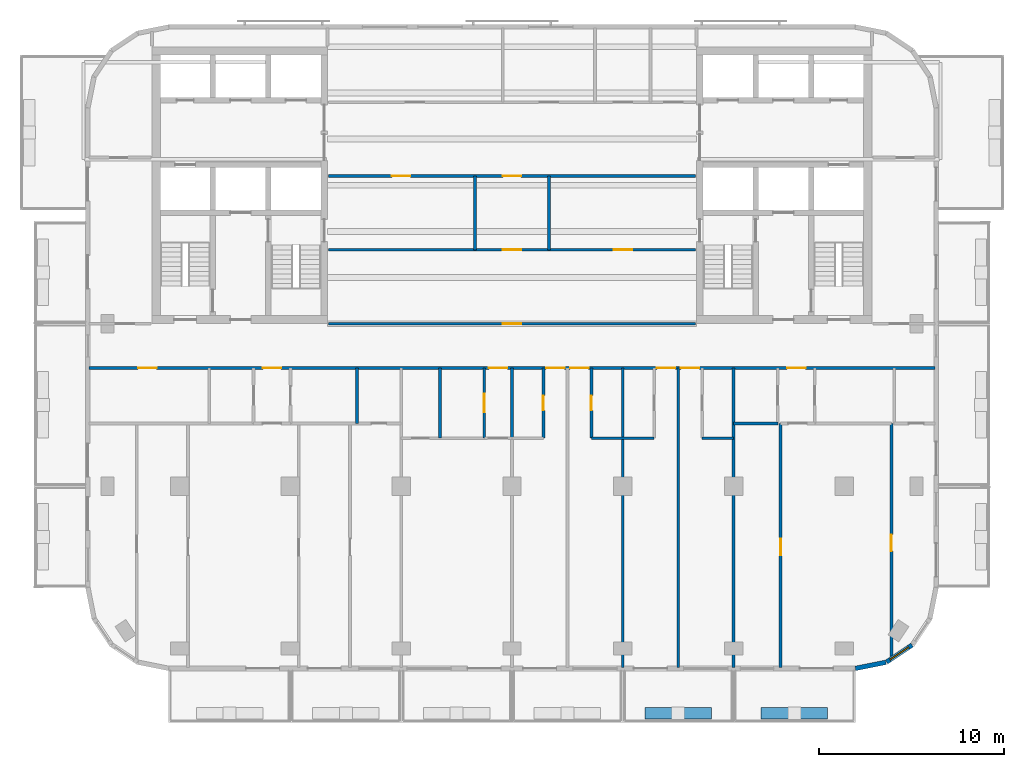
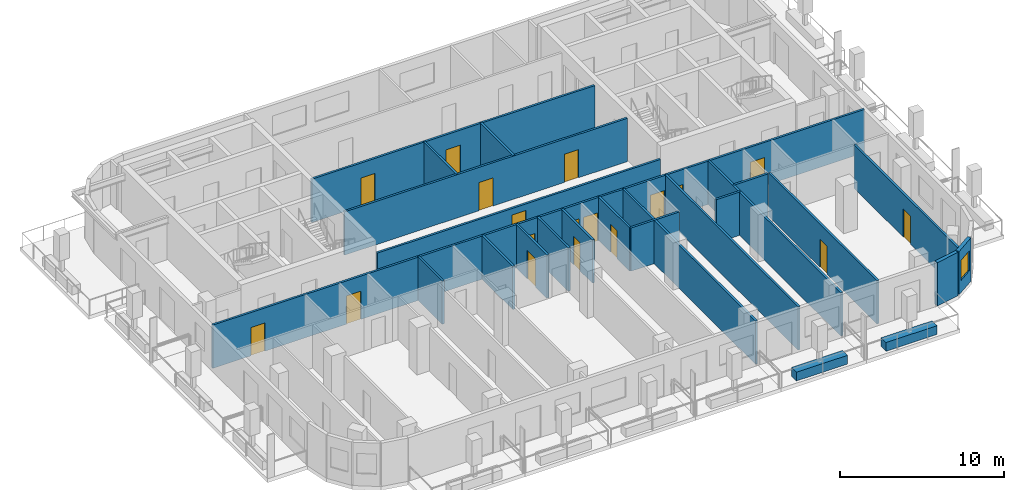
# One storey, part 4 of 11: 24 walls, 18 doors, 1 window, 19 openings.
"""IFC4 building model written with IfcOpenShell, lengths in metres."""

from ifc_helpers import new_model, si_unit, direction, frame, frame_2d, origin, place, context, subcontext, project, spatial, rectangle, extrude, material, layer, layer_set, type_object, element, fill, save


model = new_model("IFC4")

# Units and contexts
model_context = context("Model", 3, precision=1e-05, world=origin(), true_north=direction((0.0, 1.0)))
body_context = subcontext(model_context, "Body", "Model", "MODEL_VIEW")
ifc_project = project(units=[si_unit("LENGTHUNIT", "METRE"), si_unit("AREAUNIT", "SQUARE_METRE"), si_unit("VOLUMEUNIT", "CUBIC_METRE"), si_unit("PLANEANGLEUNIT", "RADIAN"), si_unit("MASSUNIT", "GRAM", prefix="KILO")], contexts=[model_context])

# Site, building, storey
site_placement = place(None, origin())
site = spatial("IfcSite", under=ifc_project, at=site_placement, CompositionType="ELEMENT")
building_placement = place(site_placement, origin())
building = spatial("IfcBuilding", under=site, at=building_placement, Name="Torana Hotel and Residences", CompositionType="ELEMENT")
storey_placement = place(building_placement, frame((0.0, 0.0, 277.10009765625)))
storey = spatial("IfcBuildingStorey", under=building, at=storey_placement, Name="L73", CompositionType="ELEMENT", Elevation=277.10009765625)

# Wall
ifc_material_1 = material(Name="Black aluminium composite panel", Category="aluminium")
ifc_layer_1 = layer(ifc_material_1, 0.00390625, Name="Cladding", Category="cladding")
ifc_material_2 = material(Name="Ventilated air cavity")
ifc_layer_2 = layer(ifc_material_2, 0.0400390625, Name="Ventilated cavity", Category="cavity")
ifc_material_3 = material(Name="Mineral wool insulation")
ifc_layer_3 = layer(ifc_material_3, 0.090087890625, Name="Insulation", Category="insulation")
ifc_material_4 = material(Name="Steel S280GD", Category="steel")
ifc_layer_4 = layer(ifc_material_4, 0.092041015625, Name="Steel stud frame", Category="structure")
ifc_material_5 = material(Name="Fire rated plasterboard")
ifc_layer_5 = layer(ifc_material_5, 0.011962890625, Name="Inner board", Category="finish")
ifc_layer_6 = layer(ifc_material_5, 0.011962890625, Name="Second board", Category="finish")
ifc_layer_set_1 = layer_set([ifc_layer_1, ifc_layer_2, ifc_layer_3, ifc_layer_4, ifc_layer_5, ifc_layer_6], Name="EW1 EXTERNAL WALL BLACK METAL CLAD 250")
wall_type_1 = type_object("IfcWallType", Name="EW1 EXTERNAL WALL BLACK METAL CLAD 250", PredefinedType="SOLIDWALL", material=ifc_layer_set_1)
wall_1_placement = place(storey_placement, frame((18.599853515625, -33.672607421875, 0.0), z_axis=(0.0, 0.0, 1.0), x_axis=(0.980770110232, 0.195166572128, 0.0)))
element("IfcWall", 1, at=wall_1_placement, inside=storey, type_object=wall_type_1, Name="External wall L73 e0.15", PredefinedType="SOLIDWALL", context=body_context, shape_type="SweptSolid", body=[
    extrude(rectangle(XDim=1.68115234375, YDim=0.25, at=frame_2d((0.840576171875, 0.0))), origin(), (0.0, 0.0, 1.0), 3.219970703125),
])

# Wall, opening, window
wall_2_placement = place(storey_placement, frame((20.2939453125, -33.325927734375, 0.0), z_axis=(0.0, 0.0, 1.0), x_axis=(0.831482937015, 0.55555029066, 0.0)))
wall_2 = element("IfcWall", 2, at=wall_2_placement, inside=storey, type_object=wall_type_1, Name="External wall L73 e0.16", PredefinedType="SOLIDWALL", context=body_context, shape_type="SweptSolid", body=[
    extrude(rectangle(XDim=1.65625, YDim=0.25, at=frame_2d((0.828125, 0.0))), origin(), (0.0, 0.0, 1.0), 3.219970703125),
])
opening_1_placement = place(wall_2_placement, frame((0.228271484375, 0.0, 0.89990234375)))
opening_1 = element("IfcOpeningElement", 3, at=opening_1_placement, cuts=wall_2, Name="Opening W5", PredefinedType="OPENING", context=body_context, shape_type="SweptSolid", body=[
    extrude(rectangle(XDim=1.199951171875, YDim=1.5, at=frame_2d((0.60009765625, 0.75))), frame((0.0, 0.135009765625, 0.0), z_axis=(0.0, -1.0, 0.0), x_axis=(1.0, 0.0, 0.0)), (0.0, 0.0, 1.0), 0.27001953125),
])
ifc_material_6 = material(Name="Dark glass in black aluminium frame", Category="aluminium")
window_type = type_object("IfcWindowType", Name="W5 CORNER FACET WINDOW 1200x1500", PartitioningType="SINGLE_PANEL", PredefinedType="WINDOW", material=ifc_material_6)
window_placement = place(opening_1_placement, origin())
window = element("IfcWindow", 4, at=window_placement, inside=storey, type_object=window_type, Name="Window L73 e0.16", OverallHeight=1.5, OverallWidth=1.199951171875, PartitioningType="SINGLE_PANEL", PredefinedType="WINDOW", context=body_context, shape_type="SweptSolid", body=[
    extrude(rectangle(XDim=1.199951171875, YDim=1.5, at=frame_2d((0.60009765625, 0.75))), frame((0.0, 0.030029296875, 0.0), z_axis=(0.0, -1.0, 0.0), x_axis=(1.0, 0.0, 0.0)), (0.0, 0.0, 1.0), 0.06005859375),
])
fill(opening_1, window)

# Walls
ifc_material_7 = material(Name="Gypsum plaster")
ifc_layer_7 = layer(ifc_material_7, 0.014892578125, Name="Plaster", Category="finish")
ifc_material_8 = material(Name="Concrete blockwork", Category="masonry")
ifc_layer_8 = layer(ifc_material_8, 0.1201171875, Name="Blockwork", Category="structure")
ifc_layer_9 = layer(ifc_material_7, 0.014892578125, Name="Plaster", Category="finish")
ifc_layer_set_2 = layer_set([ifc_layer_7, ifc_layer_8, ifc_layer_9], Name="FIRE PARTITION 150 BLOCKWORK")
wall_type_2 = type_object("IfcWallType", Name="FIRE PARTITION 150 BLOCKWORK", PredefinedType="PARTITIONING", material=ifc_layer_set_2)
wall_3_placement = place(storey_placement, frame((2.0, -11.0, 0.0), z_axis=(0.0, 0.0, 1.0), x_axis=(0.0, 1.0, 0.0)))
element("IfcWall", 5, at=wall_3_placement, inside=storey, type_object=wall_type_2, Name="Partition L73", PredefinedType="PARTITIONING", context=body_context, shape_type="SweptSolid", body=[
    extrude(rectangle(XDim=4.0, YDim=0.14990234375, at=frame_2d((2.0, 0.0))), origin(), (0.0, 0.0, 1.0), 3.219970703125),
])
wall_4_placement = place(storey_placement, frame((0.0, -21.199951171875, 0.0), z_axis=(0.0, 0.0, 1.0), x_axis=(0.0, 1.0, 0.0)))
element("IfcWall", 6, at=wall_4_placement, inside=storey, type_object=wall_type_2, Name="Partition L73", PredefinedType="PARTITIONING", context=body_context, shape_type="SweptSolid", body=[
    extrude(rectangle(XDim=3.800048828125, YDim=0.14990234375, at=frame_2d((1.89990234375, 0.0))), origin(), (0.0, 0.0, 1.0), 3.219970703125),
])

# Wall, opening, door
wall_5_placement = place(storey_placement, frame((-1.5, -21.199951171875, 0.0), z_axis=(0.0, 0.0, 1.0), x_axis=(0.0, 1.0, 0.0)))
wall_5 = element("IfcWall", 7, at=wall_5_placement, inside=storey, type_object=wall_type_2, Name="Partition L73", PredefinedType="PARTITIONING", context=body_context, shape_type="SweptSolid", body=[
    extrude(rectangle(XDim=3.800048828125, YDim=0.14990234375, at=frame_2d((1.89990234375, 0.0))), origin(), (0.0, 0.0, 1.0), 3.219970703125),
])
opening_2_placement = place(wall_5_placement, frame((1.39990234375, 0.0, 0.0)))
opening_2 = element("IfcOpeningElement", 8, at=opening_2_placement, cuts=wall_5, Name="Opening L73-37", PredefinedType="OPENING", context=body_context, shape_type="SweptSolid", body=[
    extrude(rectangle(XDim=1.0, YDim=2.10009765625, at=frame_2d((0.5, 1.050048828125))), frame((0.0, 0.0849609375, 0.0), z_axis=(0.0, -1.0, 0.0), x_axis=(1.0, 0.0, 0.0)), (0.0, 0.0, 1.0), 0.169921875),
])
ifc_material_9 = material(Name="Steel S235", Category="steel")
door_type_1 = type_object("IfcDoorType", Name="ENTRY FIRE DOOR D6 1000x2100", OperationType="SINGLE_SWING_LEFT", PredefinedType="DOOR", material=ifc_material_9)
door_1_placement = place(opening_2_placement, origin())
door_1 = element("IfcDoor", 9, at=door_1_placement, inside=storey, type_object=door_type_1, Name="Door L73", OperationType="SINGLE_SWING_RIGHT", OverallHeight=2.10009765625, OverallWidth=1.0, PredefinedType="DOOR", context=body_context, shape_type="SweptSolid", body=[
    extrude(rectangle(XDim=1.0, YDim=2.10009765625, at=frame_2d((0.5, 1.050048828125))), frame((0.0, 0.02490234375, 0.0), z_axis=(0.0, -1.0, 0.0), x_axis=(1.0, 0.0, 0.0)), (0.0, 0.0, 1.0), 0.050048828125),
])
fill(opening_2, door_1)

# Wall
wall_6_placement = place(storey_placement, frame((-2.0, -11.0, 0.0), z_axis=(0.0, 0.0, 1.0), x_axis=(0.0, 1.0, 0.0)))
element("IfcWall", 10, at=wall_6_placement, inside=storey, type_object=wall_type_2, Name="Partition L73", PredefinedType="PARTITIONING", context=body_context, shape_type="SweptSolid", body=[
    extrude(rectangle(XDim=4.0, YDim=0.14990234375, at=frame_2d((2.0, 0.0))), origin(), (0.0, 0.0, 1.0), 3.219970703125),
])

# Wall, openings, doors
wall_7_placement = place(storey_placement, frame((-22.919921875, -17.39990234375, 0.0), z_axis=(0.0, 0.0, 1.0), x_axis=(1.0, 0.0, 0.0)))
wall_7 = element("IfcWall", 11, at=wall_7_placement, inside=storey, type_object=wall_type_2, Name="Partition L73", PredefinedType="PARTITIONING", context=body_context, shape_type="SweptSolid", body=[
    extrude(rectangle(XDim=45.83984375, YDim=0.14990234375, at=frame_2d((22.919921875, 0.0))), origin(), (0.0, 0.0, 1.0), 3.219970703125),
])
opening_3_placement = place(wall_7_placement, frame((21.669921875, 0.0, 0.0)))
opening_3 = element("IfcOpeningElement", 12, at=opening_3_placement, cuts=wall_7, Name="Opening L73-18", PredefinedType="OPENING", context=body_context, shape_type="SweptSolid", body=[
    extrude(rectangle(XDim=1.0, YDim=2.10009765625, at=frame_2d((0.5, 1.050048828125))), frame((0.0, 0.0849609375, 0.0), z_axis=(0.0, -1.0, 0.0), x_axis=(1.0, 0.0, 0.0)), (0.0, 0.0, 1.0), 0.169921875),
])
opening_4_placement = place(wall_7_placement, frame((24.77001953125, 0.0, 0.0)))
opening_4 = element("IfcOpeningElement", 13, at=opening_4_placement, cuts=wall_7, Name="Opening L73-19", PredefinedType="OPENING", context=body_context, shape_type="SweptSolid", body=[
    extrude(rectangle(XDim=1.0, YDim=2.10009765625, at=frame_2d((0.5, 1.050048828125))), frame((0.0, 0.0849609375, 0.0), z_axis=(0.0, -1.0, 0.0), x_axis=(1.0, 0.0, 0.0)), (0.0, 0.0, 1.0), 0.169921875),
])
opening_5_placement = place(wall_7_placement, frame((26.070068359375, 0.0, 0.0)))
opening_5 = element("IfcOpeningElement", 14, at=opening_5_placement, cuts=wall_7, Name="Opening L73-20", PredefinedType="OPENING", context=body_context, shape_type="SweptSolid", body=[
    extrude(rectangle(XDim=1.0, YDim=2.10009765625, at=frame_2d((0.5, 1.050048828125))), frame((0.0, 0.0849609375, 0.0), z_axis=(0.0, -1.0, 0.0), x_axis=(1.0, 0.0, 0.0)), (0.0, 0.0, 1.0), 0.169921875),
])
opening_6_placement = place(wall_7_placement, frame((30.77001953125, 0.0, 0.0)))
opening_6 = element("IfcOpeningElement", 15, at=opening_6_placement, cuts=wall_7, Name="Opening L73-21", PredefinedType="OPENING", context=body_context, shape_type="SweptSolid", body=[
    extrude(rectangle(XDim=1.0, YDim=2.10009765625, at=frame_2d((0.5, 1.050048828125))), frame((0.0, 0.0849609375, 0.0), z_axis=(0.0, -1.0, 0.0), x_axis=(1.0, 0.0, 0.0)), (0.0, 0.0, 1.0), 0.169921875),
])
opening_7_placement = place(wall_7_placement, frame((32.070068359375, 0.0, 0.0)))
opening_7 = element("IfcOpeningElement", 16, at=opening_7_placement, cuts=wall_7, Name="Opening L73-22", PredefinedType="OPENING", context=body_context, shape_type="SweptSolid", body=[
    extrude(rectangle(XDim=1.0, YDim=2.10009765625, at=frame_2d((0.5, 1.050048828125))), frame((0.0, 0.0849609375, 0.0), z_axis=(0.0, -1.0, 0.0), x_axis=(1.0, 0.0, 0.0)), (0.0, 0.0, 1.0), 0.169921875),
])
opening_8_placement = place(wall_7_placement, frame((9.419921875, 0.0, 0.0)))
opening_8 = element("IfcOpeningElement", 17, at=opening_8_placement, cuts=wall_7, Name="Opening L73-23", PredefinedType="OPENING", context=body_context, shape_type="SweptSolid", body=[
    extrude(rectangle(XDim=1.0, YDim=2.10009765625, at=frame_2d((0.5, 1.050048828125))), frame((0.0, 0.0849609375, 0.0), z_axis=(0.0, -1.0, 0.0), x_axis=(1.0, 0.0, 0.0)), (0.0, 0.0, 1.0), 0.169921875),
])
opening_9_placement = place(wall_7_placement, frame((2.669921875, 0.0, 0.0)))
opening_9 = element("IfcOpeningElement", 18, at=opening_9_placement, cuts=wall_7, Name="Opening L73-24", PredefinedType="OPENING", context=body_context, shape_type="SweptSolid", body=[
    extrude(rectangle(XDim=1.0, YDim=2.10009765625, at=frame_2d((0.5, 1.050048828125))), frame((0.0, 0.0849609375, 0.0), z_axis=(0.0, -1.0, 0.0), x_axis=(1.0, 0.0, 0.0)), (0.0, 0.0, 1.0), 0.169921875),
])
opening_10_placement = place(wall_7_placement, frame((37.820068359375, 0.0, 0.0)))
opening_10 = element("IfcOpeningElement", 19, at=opening_10_placement, cuts=wall_7, Name="Opening L73-25", PredefinedType="OPENING", context=body_context, shape_type="SweptSolid", body=[
    extrude(rectangle(XDim=1.0, YDim=2.10009765625, at=frame_2d((0.5, 1.050048828125))), frame((0.0, 0.0849609375, 0.0), z_axis=(0.0, -1.0, 0.0), x_axis=(1.0, 0.0, 0.0)), (0.0, 0.0, 1.0), 0.169921875),
])
door_2_placement = place(opening_3_placement, origin())
door_2 = element("IfcDoor", 20, at=door_2_placement, inside=storey, type_object=door_type_1, Name="Door L73", OperationType="SINGLE_SWING_RIGHT", OverallHeight=2.10009765625, OverallWidth=1.0, PredefinedType="DOOR", context=body_context, shape_type="SweptSolid", body=[
    extrude(rectangle(XDim=1.0, YDim=2.10009765625, at=frame_2d((0.5, 1.050048828125))), frame((0.0, 0.02490234375, 0.0), z_axis=(0.0, -1.0, 0.0), x_axis=(1.0, 0.0, 0.0)), (0.0, 0.0, 1.0), 0.050048828125),
])
fill(opening_3, door_2)
door_3_placement = place(opening_4_placement, frame((0.5, 0.0, 0.0), z_axis=(0.0, 0.0, 1.0), x_axis=(-1.0, 0.0, 0.0)))
door_3 = element("IfcDoor", 21, at=door_3_placement, inside=storey, type_object=door_type_1, Name="Door L73", OperationType="SINGLE_SWING_LEFT", OverallHeight=2.10009765625, OverallWidth=1.0, PredefinedType="DOOR", context=body_context, shape_type="SweptSolid", body=[
    extrude(rectangle(XDim=1.0, YDim=2.10009765625, at=frame_2d((0.0, 1.050048828125))), frame((0.0, -0.02490234375, 0.0), z_axis=(0.0, 1.0, 0.0), x_axis=(-1.0, 0.0, 0.0)), (0.0, 0.0, 1.0), 0.050048828125),
])
fill(opening_4, door_3)
door_4_placement = place(opening_5_placement, frame((0.5, 0.0, 0.0), z_axis=(0.0, 0.0, 1.0), x_axis=(-1.0, 0.0, 0.0)))
door_4 = element("IfcDoor", 22, at=door_4_placement, inside=storey, type_object=door_type_1, Name="Door L73", OperationType="SINGLE_SWING_LEFT", OverallHeight=2.10009765625, OverallWidth=1.0, PredefinedType="DOOR", context=body_context, shape_type="SweptSolid", body=[
    extrude(rectangle(XDim=1.0, YDim=2.10009765625, at=frame_2d((0.0, 1.050048828125))), frame((0.0, -0.02490234375, 0.0), z_axis=(0.0, 1.0, 0.0), x_axis=(-1.0, 0.0, 0.0)), (0.0, 0.0, 1.0), 0.050048828125),
])
fill(opening_5, door_4)
door_5_placement = place(opening_6_placement, frame((0.5, 0.0, 0.0), z_axis=(0.0, 0.0, 1.0), x_axis=(-1.0, 0.0, 0.0)))
door_5 = element("IfcDoor", 23, at=door_5_placement, inside=storey, type_object=door_type_1, Name="Door L73", OperationType="SINGLE_SWING_LEFT", OverallHeight=2.10009765625, OverallWidth=1.0, PredefinedType="DOOR", context=body_context, shape_type="SweptSolid", body=[
    extrude(rectangle(XDim=1.0, YDim=2.10009765625, at=frame_2d((0.0, 1.050048828125))), frame((0.0, -0.02490234375, 0.0), z_axis=(0.0, 1.0, 0.0), x_axis=(-1.0, 0.0, 0.0)), (0.0, 0.0, 1.0), 0.050048828125),
])
fill(opening_6, door_5)
door_6_placement = place(opening_7_placement, frame((0.5, 0.0, 0.0), z_axis=(0.0, 0.0, 1.0), x_axis=(-1.0, 0.0, 0.0)))
door_6 = element("IfcDoor", 24, at=door_6_placement, inside=storey, type_object=door_type_1, Name="Door L73", OperationType="SINGLE_SWING_LEFT", OverallHeight=2.10009765625, OverallWidth=1.0, PredefinedType="DOOR", context=body_context, shape_type="SweptSolid", body=[
    extrude(rectangle(XDim=1.0, YDim=2.10009765625, at=frame_2d((0.0, 1.050048828125))), frame((0.0, -0.02490234375, 0.0), z_axis=(0.0, 1.0, 0.0), x_axis=(-1.0, 0.0, 0.0)), (0.0, 0.0, 1.0), 0.050048828125),
])
fill(opening_7, door_6)
door_7_placement = place(opening_8_placement, origin())
door_7 = element("IfcDoor", 25, at=door_7_placement, inside=storey, type_object=door_type_1, Name="Door L73", OperationType="SINGLE_SWING_RIGHT", OverallHeight=2.10009765625, OverallWidth=1.0, PredefinedType="DOOR", context=body_context, shape_type="SweptSolid", body=[
    extrude(rectangle(XDim=1.0, YDim=2.10009765625, at=frame_2d((0.5, 1.050048828125))), frame((0.0, 0.02490234375, 0.0), z_axis=(0.0, -1.0, 0.0), x_axis=(1.0, 0.0, 0.0)), (0.0, 0.0, 1.0), 0.050048828125),
])
fill(opening_8, door_7)
door_8_placement = place(opening_9_placement, frame((0.5, 0.0, 0.0), z_axis=(0.0, 0.0, 1.0), x_axis=(-1.0, 0.0, 0.0)))
door_8 = element("IfcDoor", 26, at=door_8_placement, inside=storey, type_object=door_type_1, Name="Door L73", OperationType="SINGLE_SWING_LEFT", OverallHeight=2.10009765625, OverallWidth=1.0, PredefinedType="DOOR", context=body_context, shape_type="SweptSolid", body=[
    extrude(rectangle(XDim=1.0, YDim=2.10009765625, at=frame_2d((0.0, 1.050048828125))), frame((0.0, -0.02490234375, 0.0), z_axis=(0.0, 1.0, 0.0), x_axis=(-1.0, 0.0, 0.0)), (0.0, 0.0, 1.0), 0.050048828125),
])
fill(opening_9, door_8)
door_9_placement = place(opening_10_placement, origin())
door_9 = element("IfcDoor", 27, at=door_9_placement, inside=storey, type_object=door_type_1, Name="Door L73", OperationType="SINGLE_SWING_RIGHT", OverallHeight=2.10009765625, OverallWidth=1.0, PredefinedType="DOOR", context=body_context, shape_type="SweptSolid", body=[
    extrude(rectangle(XDim=1.0, YDim=2.10009765625, at=frame_2d((0.5, 1.050048828125))), frame((0.0, 0.02490234375, 0.0), z_axis=(0.0, -1.0, 0.0), x_axis=(1.0, 0.0, 0.0)), (0.0, 0.0, 1.0), 0.050048828125),
])
fill(opening_10, door_9)

# Wall, opening, door
wall_8_placement = place(storey_placement, frame((-9.949951171875, -15.0, 0.0), z_axis=(0.0, 0.0, 1.0), x_axis=(1.0, 0.0, 0.0)))
wall_8 = element("IfcWall", 28, at=wall_8_placement, inside=storey, type_object=wall_type_2, Name="Partition L73", PredefinedType="PARTITIONING", context=body_context, shape_type="SweptSolid", body=[
    extrude(rectangle(XDim=19.89990234375, YDim=0.14990234375, at=frame_2d((9.949951171875, 0.0))), origin(), (0.0, 0.0, 1.0), 2.583984375),
])
opening_11_placement = place(wall_8_placement, frame((9.449951171875, 0.0, 0.0)))
opening_11 = element("IfcOpeningElement", 29, at=opening_11_placement, cuts=wall_8, Name="Opening L73-17", PredefinedType="OPENING", context=body_context, shape_type="SweptSolid", body=[
    extrude(rectangle(XDim=1.0, YDim=2.10009765625, at=frame_2d((0.5, 1.050048828125))), frame((0.0, 0.0849609375, 0.0), z_axis=(0.0, -1.0, 0.0), x_axis=(1.0, 0.0, 0.0)), (0.0, 0.0, 1.0), 0.169921875),
])
door_10_placement = place(opening_11_placement, origin())
door_10 = element("IfcDoor", 30, at=door_10_placement, inside=storey, type_object=door_type_1, Name="Door L73", OperationType="SINGLE_SWING_RIGHT", OverallHeight=2.10009765625, OverallWidth=1.0, PredefinedType="DOOR", context=body_context, shape_type="SweptSolid", body=[
    extrude(rectangle(XDim=1.0, YDim=2.10009765625, at=frame_2d((0.5, 1.050048828125))), frame((0.0, 0.02490234375, 0.0), z_axis=(0.0, -1.0, 0.0), x_axis=(1.0, 0.0, 0.0)), (0.0, 0.0, 1.0), 0.050048828125),
])
fill(opening_11, door_10)

# Wall, openings, doors
wall_9_placement = place(storey_placement, frame((-9.949951171875, -11.0, 0.0), z_axis=(0.0, 0.0, 1.0), x_axis=(1.0, 0.0, 0.0)))
wall_9 = element("IfcWall", 31, at=wall_9_placement, inside=storey, type_object=wall_type_2, Name="Partition L73", PredefinedType="PARTITIONING", context=body_context, shape_type="SweptSolid", body=[
    extrude(rectangle(XDim=19.89990234375, YDim=0.14990234375, at=frame_2d((9.949951171875, 0.0))), origin(), (0.0, 0.0, 1.0), 3.219970703125),
])
opening_12_placement = place(wall_9_placement, frame((9.449951171875, 0.0, 0.0)))
opening_12 = element("IfcOpeningElement", 32, at=opening_12_placement, cuts=wall_9, Name="Opening L73-28", PredefinedType="OPENING", context=body_context, shape_type="SweptSolid", body=[
    extrude(rectangle(XDim=1.0, YDim=2.10009765625, at=frame_2d((0.5, 1.050048828125))), frame((0.0, 0.0849609375, 0.0), z_axis=(0.0, -1.0, 0.0), x_axis=(1.0, 0.0, 0.0)), (0.0, 0.0, 1.0), 0.169921875),
])
opening_13_placement = place(wall_9_placement, frame((15.449951171875, 0.0, 0.0)))
opening_13 = element("IfcOpeningElement", 33, at=opening_13_placement, cuts=wall_9, Name="Opening L73-29", PredefinedType="OPENING", context=body_context, shape_type="SweptSolid", body=[
    extrude(rectangle(XDim=1.0, YDim=2.10009765625, at=frame_2d((0.5, 1.050048828125))), frame((0.0, 0.0849609375, 0.0), z_axis=(0.0, -1.0, 0.0), x_axis=(1.0, 0.0, 0.0)), (0.0, 0.0, 1.0), 0.169921875),
])
door_11_placement = place(opening_12_placement, origin())
door_11 = element("IfcDoor", 34, at=door_11_placement, inside=storey, type_object=door_type_1, Name="Door L73", OperationType="SINGLE_SWING_RIGHT", OverallHeight=2.10009765625, OverallWidth=1.0, PredefinedType="DOOR", context=body_context, shape_type="SweptSolid", body=[
    extrude(rectangle(XDim=1.0, YDim=2.10009765625, at=frame_2d((0.5, 1.050048828125))), frame((0.0, 0.02490234375, 0.0), z_axis=(0.0, -1.0, 0.0), x_axis=(1.0, 0.0, 0.0)), (0.0, 0.0, 1.0), 0.050048828125),
])
fill(opening_12, door_11)
door_12_placement = place(opening_13_placement, origin())
door_12 = element("IfcDoor", 35, at=door_12_placement, inside=storey, type_object=door_type_1, Name="Door L73", OperationType="SINGLE_SWING_RIGHT", OverallHeight=2.10009765625, OverallWidth=1.0, PredefinedType="DOOR", context=body_context, shape_type="SweptSolid", body=[
    extrude(rectangle(XDim=1.0, YDim=2.10009765625, at=frame_2d((0.5, 1.050048828125))), frame((0.0, 0.02490234375, 0.0), z_axis=(0.0, -1.0, 0.0), x_axis=(1.0, 0.0, 0.0)), (0.0, 0.0, 1.0), 0.050048828125),
])
fill(opening_13, door_12)

wall_10_placement = place(storey_placement, frame((-9.949951171875, -7.0, 0.0), z_axis=(0.0, 0.0, 1.0), x_axis=(1.0, 0.0, 0.0)))
wall_10 = element("IfcWall", 36, at=wall_10_placement, inside=storey, type_object=wall_type_2, Name="Partition L73", PredefinedType="PARTITIONING", context=body_context, shape_type="SweptSolid", body=[
    extrude(rectangle(XDim=19.89990234375, YDim=0.14990234375, at=frame_2d((9.949951171875, 0.0))), origin(), (0.0, 0.0, 1.0), 3.219970703125),
])
opening_14_placement = place(wall_10_placement, frame((9.449951171875, 0.0, 0.0)))
opening_14 = element("IfcOpeningElement", 37, at=opening_14_placement, cuts=wall_10, Name="Opening L73-30", PredefinedType="OPENING", context=body_context, shape_type="SweptSolid", body=[
    extrude(rectangle(XDim=1.0, YDim=2.10009765625, at=frame_2d((0.5, 1.050048828125))), frame((0.0, 0.0849609375, 0.0), z_axis=(0.0, -1.0, 0.0), x_axis=(1.0, 0.0, 0.0)), (0.0, 0.0, 1.0), 0.169921875),
])
opening_15_placement = place(wall_10_placement, frame((3.449951171875, 0.0, 0.0)))
opening_15 = element("IfcOpeningElement", 38, at=opening_15_placement, cuts=wall_10, Name="Opening L73-31", PredefinedType="OPENING", context=body_context, shape_type="SweptSolid", body=[
    extrude(rectangle(XDim=1.0, YDim=2.10009765625, at=frame_2d((0.5, 1.050048828125))), frame((0.0, 0.0849609375, 0.0), z_axis=(0.0, -1.0, 0.0), x_axis=(1.0, 0.0, 0.0)), (0.0, 0.0, 1.0), 0.169921875),
])
door_13_placement = place(opening_14_placement, origin())
door_13 = element("IfcDoor", 39, at=door_13_placement, inside=storey, type_object=door_type_1, Name="Door L73", OperationType="SINGLE_SWING_RIGHT", OverallHeight=2.10009765625, OverallWidth=1.0, PredefinedType="DOOR", context=body_context, shape_type="SweptSolid", body=[
    extrude(rectangle(XDim=1.0, YDim=2.10009765625, at=frame_2d((0.5, 1.050048828125))), frame((0.0, 0.02490234375, 0.0), z_axis=(0.0, -1.0, 0.0), x_axis=(1.0, 0.0, 0.0)), (0.0, 0.0, 1.0), 0.050048828125),
])
fill(opening_14, door_13)
door_14_placement = place(opening_15_placement, frame((0.5, 0.0, 0.0), z_axis=(0.0, 0.0, 1.0), x_axis=(-1.0, 0.0, 0.0)))
door_14 = element("IfcDoor", 40, at=door_14_placement, inside=storey, type_object=door_type_1, Name="Door L73", OperationType="SINGLE_SWING_LEFT", OverallHeight=2.10009765625, OverallWidth=1.0, PredefinedType="DOOR", context=body_context, shape_type="SweptSolid", body=[
    extrude(rectangle(XDim=1.0, YDim=2.10009765625, at=frame_2d((0.0, 1.050048828125))), frame((0.0, -0.02490234375, 0.0), z_axis=(0.0, 1.0, 0.0), x_axis=(-1.0, 0.0, 0.0)), (0.0, 0.0, 1.0), 0.050048828125),
])
fill(opening_15, door_14)

# Wall, opening, door
ifc_material_10 = material(Name="Gypsum plasterboard")
ifc_layer_10 = layer(ifc_material_10, 0.012451171875, Name="Plasterboard", Category="finish")
ifc_layer_11 = layer(ifc_material_10, 0.012451171875, Name="Plasterboard", Category="finish")
ifc_layer_12 = layer(ifc_material_4, 0.10009765625, Name="Steel studs with mineral wool", Category="insulation")
ifc_layer_13 = layer(ifc_material_10, 0.012451171875, Name="Plasterboard", Category="finish")
ifc_layer_14 = layer(ifc_material_10, 0.012451171875, Name="Plasterboard", Category="finish")
ifc_layer_set_3 = layer_set([ifc_layer_10, ifc_layer_11, ifc_layer_12, ifc_layer_13, ifc_layer_14], Name="PARTITION 150 PLASTERBOARD")
wall_type_3 = type_object("IfcWallType", Name="PARTITION 150 PLASTERBOARD", PredefinedType="PARTITIONING", material=ifc_layer_set_3)
wall_11_placement = place(storey_placement, frame((20.550048828125, -33.0166015625, 0.0), z_axis=(0.0, 0.0, 1.0), x_axis=(0.0, 1.0, 0.0)))
wall_11 = element("IfcWall", 41, at=wall_11_placement, inside=storey, type_object=wall_type_3, Name="Partition L73", PredefinedType="PARTITIONING", context=body_context, shape_type="SweptSolid", body=[
    extrude(rectangle(XDim=12.61669921875, YDim=0.14990234375, at=frame_2d((6.308349609375, 0.0))), origin(), (0.0, 0.0, 1.0), 3.219970703125),
])
opening_16_placement = place(wall_11_placement, frame((5.696533203125, 0.0, 0.0)))
opening_16 = element("IfcOpeningElement", 42, at=opening_16_placement, cuts=wall_11, Name="Opening L73-56", PredefinedType="OPENING", context=body_context, shape_type="SweptSolid", body=[
    extrude(rectangle(XDim=0.89990234375, YDim=2.10009765625, at=frame_2d((0.449951171875, 1.050048828125))), frame((0.0, 0.0849609375, 0.0), z_axis=(0.0, -1.0, 0.0), x_axis=(1.0, 0.0, 0.0)), (0.0, 0.0, 1.0), 0.169921875),
])
ifc_material_11 = material(Name="Timber door, oiled ash", Category="wood")
door_type_2 = type_object("IfcDoorType", Name="ROOM DOOR D7 900x2100", OperationType="SINGLE_SWING_LEFT", PredefinedType="DOOR", material=ifc_material_11)
door_15_placement = place(opening_16_placement, origin())
door_15 = element("IfcDoor", 43, at=door_15_placement, inside=storey, type_object=door_type_2, Name="Door L73", OperationType="SINGLE_SWING_RIGHT", OverallHeight=2.10009765625, OverallWidth=0.89990234375, PredefinedType="DOOR", context=body_context, shape_type="SweptSolid", body=[
    extrude(rectangle(XDim=0.89990234375, YDim=2.10009765625, at=frame_2d((0.449951171875, 1.050048828125))), frame((0.0, 0.02490234375, 0.0), z_axis=(0.0, -1.0, 0.0), x_axis=(1.0, 0.0, 0.0)), (0.0, 0.0, 1.0), 0.050048828125),
])
fill(opening_16, door_15)

wall_12_placement = place(storey_placement, frame((14.550048828125, -33.6201171875, 0.0), z_axis=(0.0, 0.0, 1.0), x_axis=(0.0, 1.0, 0.0)))
wall_12 = element("IfcWall", 44, at=wall_12_placement, inside=storey, type_object=wall_type_3, Name="Partition L73", PredefinedType="PARTITIONING", context=body_context, shape_type="SweptSolid", body=[
    extrude(rectangle(XDim=13.22021484375, YDim=0.14990234375, at=frame_2d((6.610107421875, 0.0))), origin(), (0.0, 0.0, 1.0), 3.219970703125),
])
opening_17_placement = place(wall_12_placement, frame((6.070068359375, 0.0, 0.0)))
opening_17 = element("IfcOpeningElement", 45, at=opening_17_placement, cuts=wall_12, Name="Opening L73-55", PredefinedType="OPENING", context=body_context, shape_type="SweptSolid", body=[
    extrude(rectangle(XDim=0.89990234375, YDim=2.10009765625, at=frame_2d((0.449951171875, 1.050048828125))), frame((0.0, 0.0849609375, 0.0), z_axis=(0.0, -1.0, 0.0), x_axis=(1.0, 0.0, 0.0)), (0.0, 0.0, 1.0), 0.169921875),
])
door_16_placement = place(opening_17_placement, origin())
door_16 = element("IfcDoor", 46, at=door_16_placement, inside=storey, type_object=door_type_2, Name="Door L73", OperationType="SINGLE_SWING_RIGHT", OverallHeight=2.10009765625, OverallWidth=0.89990234375, PredefinedType="DOOR", context=body_context, shape_type="SweptSolid", body=[
    extrude(rectangle(XDim=0.89990234375, YDim=2.10009765625, at=frame_2d((0.449951171875, 1.050048828125))), frame((0.0, 0.02490234375, 0.0), z_axis=(0.0, -1.0, 0.0), x_axis=(1.0, 0.0, 0.0)), (0.0, 0.0, 1.0), 0.050048828125),
])
fill(opening_17, door_16)

# Walls
for number, where, z_axis, x_axis, name in (
    (47, (12.0, -33.6201171875, 0.0), (0.0, 0.0, 1.0), (0.0, 1.0, 0.0), "Partition L73"),
    (48, (9.0, -33.6201171875, 0.0), (0.0, 0.0, 1.0), (0.0, 1.0, 0.0), "Partition L73"),
    (49, (6.0, -33.6201171875, 0.0), (0.0, 0.0, 1.0), (0.0, 1.0, 0.0), "Partition L73"),
):
    element("IfcWall", number, at=place(storey_placement, frame(where, z_axis=z_axis, x_axis=x_axis)), inside=storey, type_object=wall_type_3, Name=name, PredefinedType="PARTITIONING", context=body_context, shape_type="SweptSolid", body=[
        extrude(rectangle(XDim=16.22021484375, YDim=0.14990234375, at=frame_2d((8.110107421875, 0.0))), origin(), (0.0, 0.0, 1.0), 3.219970703125),
    ])

# Wall, opening, door
wall_13_placement = place(storey_placement, frame((4.300048828125, -21.199951171875, 0.0), z_axis=(0.0, 0.0, 1.0), x_axis=(0.0, 1.0, 0.0)))
wall_13 = element("IfcWall", 50, at=wall_13_placement, inside=storey, type_object=wall_type_3, Name="Partition L73", PredefinedType="PARTITIONING", context=body_context, shape_type="SweptSolid", body=[
    extrude(rectangle(XDim=3.800048828125, YDim=0.14990234375, at=frame_2d((1.89990234375, 0.0))), origin(), (0.0, 0.0, 1.0), 3.219970703125),
])
opening_18_placement = place(wall_13_placement, frame((1.5, 0.0, 0.0)))
opening_18 = element("IfcOpeningElement", 51, at=opening_18_placement, cuts=wall_13, Name="Opening L73-40", PredefinedType="OPENING", context=body_context, shape_type="SweptSolid", body=[
    extrude(rectangle(XDim=0.800048828125, YDim=2.10009765625, at=frame_2d((0.39990234375, 1.050048828125))), frame((0.0, 0.0849609375, 0.0), z_axis=(0.0, -1.0, 0.0), x_axis=(1.0, 0.0, 0.0)), (0.0, 0.0, 1.0), 0.169921875),
])
ifc_material_12 = material(Name="Timber door, painted", Category="wood")
door_type_3 = type_object("IfcDoorType", Name="BATH DOOR D13 800x2100", OperationType="SINGLE_SWING_LEFT", PredefinedType="DOOR", material=ifc_material_12)
door_17_placement = place(opening_18_placement, origin())
door_17 = element("IfcDoor", 52, at=door_17_placement, inside=storey, type_object=door_type_3, Name="Door L73", OperationType="SINGLE_SWING_RIGHT", OverallHeight=2.10009765625, OverallWidth=0.800048828125, PredefinedType="DOOR", context=body_context, shape_type="SweptSolid", body=[
    extrude(rectangle(XDim=0.800048828125, YDim=2.10009765625, at=frame_2d((0.39990234375, 1.050048828125))), frame((0.0, 0.02490234375, 0.0), z_axis=(0.0, -1.0, 0.0), x_axis=(1.0, 0.0, 0.0)), (0.0, 0.0, 1.0), 0.050048828125),
])
fill(opening_18, door_17)

wall_14_placement = place(storey_placement, frame((1.699951171875, -21.199951171875, 0.0), z_axis=(0.0, 0.0, 1.0), x_axis=(0.0, 1.0, 0.0)))
wall_14 = element("IfcWall", 53, at=wall_14_placement, inside=storey, type_object=wall_type_3, Name="Partition L73", PredefinedType="PARTITIONING", context=body_context, shape_type="SweptSolid", body=[
    extrude(rectangle(XDim=3.800048828125, YDim=0.14990234375, at=frame_2d((1.89990234375, 0.0))), origin(), (0.0, 0.0, 1.0), 3.219970703125),
])
opening_19_placement = place(wall_14_placement, frame((1.5, 0.0, 0.0)))
opening_19 = element("IfcOpeningElement", 54, at=opening_19_placement, cuts=wall_14, Name="Opening L73-39", PredefinedType="OPENING", context=body_context, shape_type="SweptSolid", body=[
    extrude(rectangle(XDim=0.800048828125, YDim=2.10009765625, at=frame_2d((0.39990234375, 1.050048828125))), frame((0.0, 0.0849609375, 0.0), z_axis=(0.0, -1.0, 0.0), x_axis=(1.0, 0.0, 0.0)), (0.0, 0.0, 1.0), 0.169921875),
])
door_18_placement = place(opening_19_placement, origin())
door_18 = element("IfcDoor", 55, at=door_18_placement, inside=storey, type_object=door_type_3, Name="Door L73", OperationType="SINGLE_SWING_RIGHT", OverallHeight=2.10009765625, OverallWidth=0.800048828125, PredefinedType="DOOR", context=body_context, shape_type="SweptSolid", body=[
    extrude(rectangle(XDim=0.800048828125, YDim=2.10009765625, at=frame_2d((0.39990234375, 1.050048828125))), frame((0.0, 0.02490234375, 0.0), z_axis=(0.0, -1.0, 0.0), x_axis=(1.0, 0.0, 0.0)), (0.0, 0.0, 1.0), 0.050048828125),
])
fill(opening_19, door_18)

# Walls
wall_15_placement = place(storey_placement, frame((-3.89990234375, -21.199951171875, 0.0), z_axis=(0.0, 0.0, 1.0), x_axis=(0.0, 1.0, 0.0)))
element("IfcWall", 56, at=wall_15_placement, inside=storey, type_object=wall_type_3, Name="Partition L73", PredefinedType="PARTITIONING", context=body_context, shape_type="SweptSolid", body=[
    extrude(rectangle(XDim=3.800048828125, YDim=0.14990234375, at=frame_2d((1.89990234375, 0.0))), origin(), (0.0, 0.0, 1.0), 3.219970703125),
])
wall_16_placement = place(storey_placement, frame((-8.39990234375, -20.39990234375, 0.0), z_axis=(0.0, 0.0, 1.0), x_axis=(0.0, 1.0, 0.0)))
element("IfcWall", 57, at=wall_16_placement, inside=storey, type_object=wall_type_3, Name="Partition L73", PredefinedType="PARTITIONING", context=body_context, shape_type="SweptSolid", body=[
    extrude(rectangle(XDim=3.0, YDim=0.14990234375, at=frame_2d((1.5, 0.0))), origin(), (0.0, 0.0, 1.0), 3.219970703125),
])
wall_17_placement = place(storey_placement, frame((4.300048828125, -21.199951171875, 0.0), z_axis=(0.0, 0.0, 1.0), x_axis=(1.0, 0.0, 0.0)))
element("IfcWall", 58, at=wall_17_placement, inside=storey, type_object=wall_type_3, Name="Partition L73", PredefinedType="PARTITIONING", context=body_context, shape_type="SweptSolid", body=[
    extrude(rectangle(XDim=3.39990234375, YDim=0.14990234375, at=frame_2d((1.699951171875, 0.0))), origin(), (0.0, 0.0, 1.0), 3.219970703125),
])
wall_18_placement = place(storey_placement, frame((10.300048828125, -21.199951171875, 0.0), z_axis=(0.0, 0.0, 1.0), x_axis=(1.0, 0.0, 0.0)))
element("IfcWall", 59, at=wall_18_placement, inside=storey, type_object=wall_type_3, Name="Partition L73", PredefinedType="PARTITIONING", context=body_context, shape_type="SweptSolid", body=[
    extrude(rectangle(XDim=1.699951171875, YDim=0.14990234375, at=frame_2d((0.85009765625, 0.0))), origin(), (0.0, 0.0, 1.0), 3.219970703125),
])
wall_19_placement = place(storey_placement, frame((12.0, -20.39990234375, 0.0), z_axis=(0.0, 0.0, 1.0), x_axis=(1.0, 0.0, 0.0)))
element("IfcWall", 60, at=wall_19_placement, inside=storey, type_object=wall_type_3, Name="Partition L73", PredefinedType="PARTITIONING", context=body_context, shape_type="SweptSolid", body=[
    extrude(rectangle(XDim=2.39990234375, YDim=0.14990234375, at=frame_2d((1.199951171875, 0.0))), origin(), (0.0, 0.0, 1.0), 3.219970703125),
])
ifc_material_13 = material(Name="Concrete C40/50 precast", Category="concrete")
ifc_layer_15 = layer(ifc_material_13, 0.10009765625, Name="Planter shell", Category="structure")
ifc_material_14 = material(Name="Root resistant membrane")
ifc_layer_16 = layer(ifc_material_14, 0.00390625, Name="Waterproofing membrane", Category="membrane")
ifc_material_15 = material(Name="Drainage board with filter fleece")
ifc_layer_17 = layer(ifc_material_15, 0.02001953125, Name="Drainage board", Category="drainage")
ifc_material_16 = material(Name="Growing medium")
ifc_layer_18 = layer(ifc_material_16, 0.47607421875, Name="Planting substrate", Category="soil")
ifc_layer_set_4 = layer_set([ifc_layer_15, ifc_layer_16, ifc_layer_17, ifc_layer_18], Name="PL1 BALCONY PLANTER 600")
wall_type_4 = type_object("IfcWallType", Name="PL1 BALCONY PLANTER 600", PredefinedType="USERDEFINED", material=ifc_layer_set_4)
for number, where, z_axis, x_axis, name in (
    (61, (10.800048828125, -36.10009765625, 0.0), (0.0, 0.0, 1.0), (-1.0, 0.0, 0.0), "Planter 05"),
    (62, (17.10009765625, -36.10009765625, 0.0), (0.0, 0.0, 1.0), (-1.0, 0.0, 0.0), "Planter 06"),
):
    element("IfcWall", number, at=place(storey_placement, frame(where, z_axis=z_axis, x_axis=x_axis)), inside=storey, type_object=wall_type_4, Name=name, ObjectType="PLANTER", PredefinedType="USERDEFINED", context=body_context, shape_type="SweptSolid", body=[
        extrude(rectangle(XDim=3.60009765625, YDim=0.60009765625, at=frame_2d((1.800048828125, 0.0))), origin(), (0.0, 0.0, 1.0), 0.64990234375),
    ])

save(model, "model.ifc")
